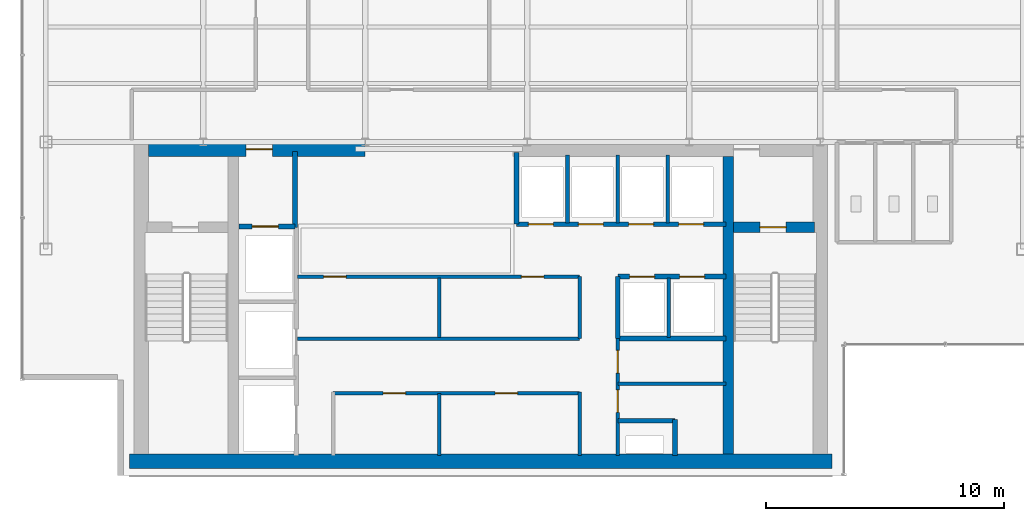
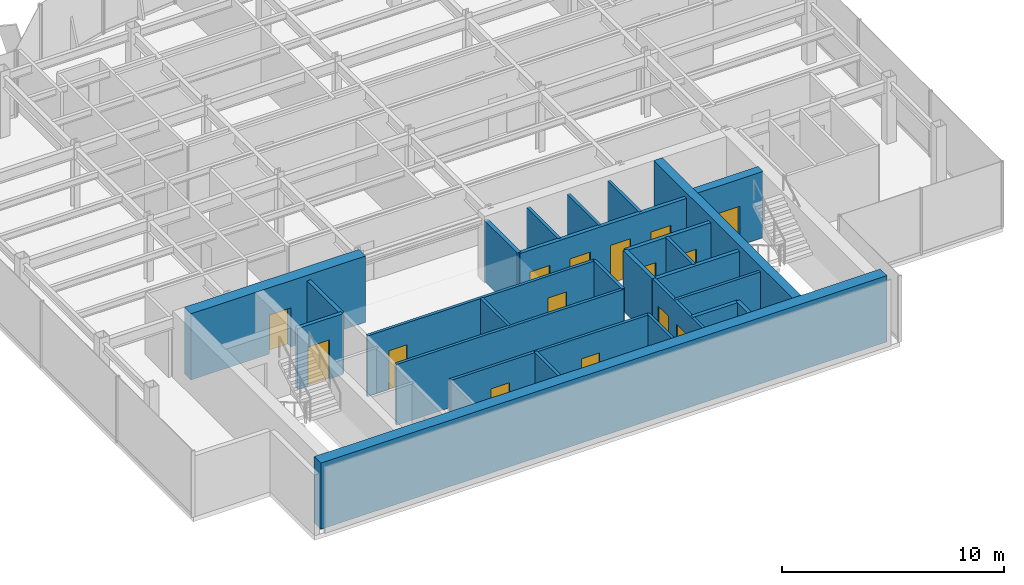
# One storey, part 17 of 22: 26 walls, 15 doors, 15 openings.
"""IFC4 building model written with IfcOpenShell, lengths in metres."""

from ifc_helpers import new_model, si_unit, derived_unit, direction, frame, frame_2d, origin, place, context, subcontext, project, spatial, rectangle, extrude, source, transform, mapped, material, layer, layer_set, type_object, element, fill, save


model = new_model("IFC4")

# Units and contexts
model_context = context("Model", 3, precision=1e-05, world=origin(), true_north=direction((0.0, 1.0)))
body_context = subcontext(model_context, "Body", "Model", "MODEL_VIEW")
ifc_project = project(units=[si_unit("LENGTHUNIT", "METRE"), si_unit("AREAUNIT", "SQUARE_METRE"), si_unit("VOLUMEUNIT", "CUBIC_METRE"), si_unit("PLANEANGLEUNIT", "RADIAN"), si_unit("MASSUNIT", "GRAM", prefix="KILO"), derived_unit("THERMALTRANSMITTANCEUNIT", [(si_unit("POWERUNIT", "WATT"), 1), (si_unit("LENGTHUNIT", "METRE"), -2), (si_unit("THERMODYNAMICTEMPERATUREUNIT", "KELVIN"), -1)])], contexts=[model_context])

# Site, building, storey
site_placement = place(None, origin())
site = spatial("IfcSite", under=ifc_project, at=site_placement, CompositionType="ELEMENT")
building_placement = place(site_placement, origin())
building = spatial("IfcBuilding", under=site, at=building_placement, Name="Skarnbrae Concourse Arena and Tower", CompositionType="ELEMENT")
storey_placement = place(building_placement, frame((0.0, 0.0, 232.39990234375)))
storey = spatial("IfcBuildingStorey", under=building, at=storey_placement, Name="L60", CompositionType="ELEMENT", Elevation=232.39990234375)

# Wall, opening, door
ifc_material_1 = material(Name="Concrete 50 MPa (C50/60)", Category="concrete")
ifc_layer_1 = layer(ifc_material_1, 0.449951171875)
ifc_layer_set_1 = layer_set([ifc_layer_1], Name="Concrete 50 MPa (C50/60)")
wall_type_1 = type_object("IfcWallType", Name="WALL-CORE-450-C50", PredefinedType="SHEAR", material=ifc_layer_set_1)
shared_shape_1 = source(origin(), body_context, "Body", "SweptSolid", [
    extrude(rectangle(XDim=3.389892578125, YDim=0.449951171875, at=frame_2d((1.69482421875, 0.0))), origin(), (0.0, 0.0, 1.0), 3.650146484375),
])
wall_1_placement = place(storey_placement, frame((29.860107421875, 10.419921875, 0.0), z_axis=(0.0, 0.0, 1.0), x_axis=(1.0, 0.0, 0.0)))
wall_1 = element("IfcWall", 1, at=wall_1_placement, inside=storey, type_object=wall_type_1, Name="L60 Rear core shear wall CW-ST2-N", PredefinedType="SHEAR", context=body_context, shape_type="MappedRepresentation", body=[
    mapped(shared_shape_1, transform((0.0, 0.0, 0.0))),
])
opening_1_placement = place(wall_1_placement, frame((1.10009765625, 0.0, 0.0)))
opening_1 = element("IfcOpeningElement", 2, at=opening_1_placement, cuts=wall_1, Name="Opening DT-03", PredefinedType="OPENING", context=body_context, shape_type="SweptSolid", body=[
    extrude(rectangle(XDim=1.10009765625, YDim=2.14990234375, at=frame_2d((0.550048828125, 1.074951171875))), frame((0.0, 0.23486328125, 0.0), z_axis=(0.0, -1.0, 0.0), x_axis=(1.0, 0.0, 0.0)), (0.0, 0.0, 1.0), 0.469970703125),
])
ifc_material_2 = material(Name="Steel CSA G40.21 350W", Category="steel")
door_type_1 = type_object("IfcDoorType", Name="DOOR-FIRE-1100-90M", OperationType="NOTDEFINED", PredefinedType="DOOR", material=ifc_material_2)
shared_shape_2 = source(origin(), body_context, "Body", "SweptSolid", [
    extrude(rectangle(XDim=1.10009765625, YDim=2.14990234375, at=frame_2d((0.550048828125, 1.074951171875))), frame((0.0, 0.02490234375, 0.0), z_axis=(0.0, -1.0, 0.0), x_axis=(1.0, 0.0, 0.0)), (0.0, 0.0, 1.0), 0.050048828125),
])
door_1_placement = place(opening_1_placement, frame((1.10009765625, 0.0, 0.0), z_axis=(0.0, 0.0, 1.0), x_axis=(-1.0, 0.0, 0.0)))
door_1 = element("IfcDoor", 3, at=door_1_placement, inside=storey, type_object=door_type_1, Name="D-1819 Stair ST-2 Door", OperationType="SINGLE_SWING_RIGHT", OverallHeight=2.14990234375, OverallWidth=1.10009765625, PredefinedType="DOOR", context=body_context, shape_type="MappedRepresentation", body=[
    mapped(shared_shape_2, transform((0.0, 0.0, 0.0))),
])
fill(opening_1, door_1)

# Wall
ifc_layer_2 = layer(ifc_material_1, 0.60009765625)
ifc_layer_set_2 = layer_set([ifc_layer_2], Name="Concrete 50 MPa (C50/60)")
wall_type_2 = type_object("IfcWallType", Name="WALL-CORE-600-C50", PredefinedType="SHEAR", material=ifc_layer_set_2)
shared_shape_3 = source(origin(), body_context, "Body", "SweptSolid", [
    extrude(rectangle(XDim=29.5, YDim=0.60009765625, at=frame_2d((14.75, 0.0))), origin(), (0.0, 0.0, 1.0), 3.650146484375),
])
wall_2_placement = place(storey_placement, frame((4.5, 0.60009765625, 0.0), z_axis=(0.0, 0.0, 1.0), x_axis=(1.0, 0.0, 0.0)))
element("IfcWall", 4, at=wall_2_placement, inside=storey, type_object=wall_type_2, Name="L60 Rear core shear wall CW-S", PredefinedType="SHEAR", context=body_context, shape_type="MappedRepresentation", body=[
    mapped(shared_shape_3, transform((0.0, 0.0, 0.0))),
])

# Wall, opening, door
shared_shape_4 = source(origin(), body_context, "Body", "SweptSolid", [
    extrude(rectangle(XDim=9.099853515625, YDim=0.60009765625, at=frame_2d((4.5498046875, 0.0))), origin(), (0.0, 0.0, 1.0), 3.650146484375),
])
wall_3_placement = place(storey_placement, frame((5.300048828125, 13.699951171875, 0.0), z_axis=(0.0, 0.0, 1.0), x_axis=(1.0, 0.0, 0.0)))
wall_3 = element("IfcWall", 5, at=wall_3_placement, inside=storey, type_object=wall_type_2, Name="L60 Rear core shear wall CW-NW", PredefinedType="SHEAR", context=body_context, shape_type="MappedRepresentation", body=[
    mapped(shared_shape_4, transform((0.0, 0.0, 0.0))),
])
opening_2_placement = place(wall_3_placement, frame((4.10009765625, 0.0, 0.0)))
opening_2 = element("IfcOpeningElement", 6, at=opening_2_placement, cuts=wall_3, Name="Opening DT-03", PredefinedType="OPENING", context=body_context, shape_type="SweptSolid", body=[
    extrude(rectangle(XDim=1.10009765625, YDim=2.14990234375, at=frame_2d((0.550048828125, 1.074951171875))), frame((0.0, 0.31005859375, 0.0), z_axis=(0.0, -1.0, 0.0), x_axis=(1.0, 0.0, 0.0)), (0.0, 0.0, 1.0), 0.6201171875),
])
door_2_placement = place(opening_2_placement, origin())
door_2 = element("IfcDoor", 7, at=door_2_placement, inside=storey, type_object=door_type_1, Name="D-1820 Firefighting Lobby Exit Door", OperationType="SINGLE_SWING_RIGHT", OverallHeight=2.14990234375, OverallWidth=1.10009765625, PredefinedType="DOOR", context=body_context, shape_type="MappedRepresentation", body=[
    mapped(shared_shape_2, transform((0.0, 0.0, 0.0))),
])
fill(opening_2, door_2)

# Walls
shared_shape_5 = source(origin(), body_context, "Body", "SweptSolid", [
    extrude(rectangle(XDim=12.5, YDim=0.449951171875, at=frame_2d((6.25, 0.0))), origin(), (0.0, 0.0, 1.0), 3.650146484375),
])
wall_4_placement = place(storey_placement, frame((29.635009765625, 0.89990234375, 0.0), z_axis=(0.0, 0.0, 1.0), x_axis=(0.0, 1.0, 0.0)))
element("IfcWall", 8, at=wall_4_placement, inside=storey, type_object=wall_type_1, Name="L60 Rear core shear wall CW-WEB-E", PredefinedType="SHEAR", context=body_context, shape_type="MappedRepresentation", body=[
    mapped(shared_shape_5, transform((0.0, 0.0, 0.0))),
])
ifc_material_3 = material(Name="Gypsum board on cold-formed steel studs", Category="steel")
ifc_layer_3 = layer(ifc_material_3, 0.199951171875)
ifc_layer_set_3 = layer_set([ifc_layer_3], Name="Gypsum board on cold-formed steel studs")
wall_type_3 = type_object("IfcWallType", Name="WALL-PART-200-2HR", PredefinedType="PARTITIONING", material=ifc_layer_set_3)
shared_shape_6 = source(origin(), body_context, "Body", "SweptSolid", [
    extrude(rectangle(XDim=3.18017578125, YDim=0.199951171875, at=frame_2d((1.590087890625, 0.0))), origin(), (0.0, 0.0, 1.0), 3.35009765625),
])
wall_5_placement = place(storey_placement, frame((11.449951171875, 10.419921875, 0.0), z_axis=(0.0, 0.0, 1.0), x_axis=(0.0, 1.0, 0.0)))
element("IfcWall", 9, at=wall_5_placement, inside=storey, type_object=wall_type_3, Name="L60 Interior partition wall W-L60-FFL-E", PredefinedType="PARTITIONING", context=body_context, shape_type="MappedRepresentation", body=[
    mapped(shared_shape_6, transform((0.0, 0.0, 0.0))),
])

# Wall, opening, door
shared_shape_7 = source(origin(), body_context, "Body", "SweptSolid", [
    extrude(rectangle(XDim=2.349853515625, YDim=0.199951171875, at=frame_2d((1.1748046875, 0.0))), origin(), (0.0, 0.0, 1.0), 3.35009765625),
])
wall_6_placement = place(storey_placement, frame((9.10009765625, 10.449951171875, 0.0), z_axis=(0.0, 0.0, 1.0), x_axis=(1.0, 0.0, 0.0)))
wall_6 = element("IfcWall", 10, at=wall_6_placement, inside=storey, type_object=wall_type_3, Name="L60 Interior partition wall W-L60-FL1-N", PredefinedType="PARTITIONING", context=body_context, shape_type="MappedRepresentation", body=[
    mapped(shared_shape_7, transform((0.0, 0.0, 0.0))),
])
opening_3_placement = place(wall_6_placement, frame((0.550048828125, 0.0, 0.0)))
opening_3 = element("IfcOpeningElement", 11, at=opening_3_placement, cuts=wall_6, Name="Opening LD-01", PredefinedType="OPENING", context=body_context, shape_type="SweptSolid", body=[
    extrude(rectangle(XDim=1.10009765625, YDim=2.14990234375, at=frame_2d((0.550048828125, 1.074951171875))), frame((0.0, 0.10986328125, 0.0), z_axis=(0.0, -1.0, 0.0), x_axis=(1.0, 0.0, 0.0)), (0.0, 0.0, 1.0), 0.219970703125),
])
door_type_2 = type_object("IfcDoorType", Name="DOOR-LIFT-SLIDE-1100", OperationType="SLIDING_TO_LEFT", PredefinedType="DOOR", material=ifc_material_2)
door_3_placement = place(opening_3_placement, origin())
door_3 = element("IfcDoor", 12, at=door_3_placement, inside=storey, type_object=door_type_2, Name="D-1822 Firefighting Lift Landing Door FL-01", OperationType="SLIDING_TO_LEFT", OverallHeight=2.14990234375, OverallWidth=1.10009765625, PredefinedType="DOOR", context=body_context, shape_type="MappedRepresentation", body=[
    mapped(shared_shape_2, transform((0.0, 0.0, 0.0))),
])
fill(opening_3, door_3)

# Wall
ifc_layer_4 = layer(ifc_material_3, 0.14990234375)
ifc_layer_set_4 = layer_set([ifc_layer_4], Name="Gypsum board on cold-formed steel studs")
wall_type_4 = type_object("IfcWallType", Name="WALL-PART-150-1HR", PredefinedType="PARTITIONING", material=ifc_layer_set_4)
shared_shape_8 = source(origin(), body_context, "Body", "SweptSolid", [
    extrude(rectangle(XDim=2.64990234375, YDim=0.14990234375, at=frame_2d((1.324951171875, 0.0))), origin(), (0.0, 0.0, 1.0), 3.35009765625),
])
wall_7_placement = place(storey_placement, frame((23.39990234375, 0.85009765625, 0.0), z_axis=(0.0, 0.0, 1.0), x_axis=(0.0, 1.0, 0.0)))
element("IfcWall", 13, at=wall_7_placement, inside=storey, type_object=wall_type_4, Name="L60 Interior partition wall W-L60-B1M-E", PredefinedType="PARTITIONING", context=body_context, shape_type="MappedRepresentation", body=[
    mapped(shared_shape_8, transform((0.0, 0.0, 0.0))),
])

# Wall, openings, doors
shared_shape_9 = source(origin(), body_context, "Body", "SweptSolid", [
    extrude(rectangle(XDim=10.349853515625, YDim=0.14990234375, at=frame_2d((5.1748046875, 0.0))), origin(), (0.0, 0.0, 1.0), 3.35009765625),
])
wall_8_placement = place(storey_placement, frame((13.050048828125, 3.449951171875, 0.0), z_axis=(0.0, 0.0, 1.0), x_axis=(1.0, 0.0, 0.0)))
wall_8 = element("IfcWall", 14, at=wall_8_placement, inside=storey, type_object=wall_type_4, Name="L60 Interior partition wall W-L60-B1M-N", PredefinedType="PARTITIONING", context=body_context, shape_type="MappedRepresentation", body=[
    mapped(shared_shape_9, transform((0.0, 0.0, 0.0))),
])
opening_4_placement = place(wall_8_placement, frame((2.10009765625, 0.0, 0.0)))
opening_4 = element("IfcOpeningElement", 15, at=opening_4_placement, cuts=wall_8, Name="Opening DT-04", PredefinedType="OPENING", context=body_context, shape_type="SweptSolid", body=[
    extrude(rectangle(XDim=0.949951171875, YDim=2.14990234375, at=frame_2d((0.47509765625, 1.074951171875))), frame((0.0, 0.0849609375, 0.0), z_axis=(0.0, -1.0, 0.0), x_axis=(1.0, 0.0, 0.0)), (0.0, 0.0, 1.0), 0.169921875),
])
opening_5_placement = place(wall_8_placement, frame((6.800048828125, 0.0, 0.0)))
opening_5 = element("IfcOpeningElement", 16, at=opening_5_placement, cuts=wall_8, Name="Opening DT-04", PredefinedType="OPENING", context=body_context, shape_type="SweptSolid", body=[
    extrude(rectangle(XDim=0.949951171875, YDim=2.14990234375, at=frame_2d((0.47509765625, 1.074951171875))), frame((0.0, 0.0849609375, 0.0), z_axis=(0.0, -1.0, 0.0), x_axis=(1.0, 0.0, 0.0)), (0.0, 0.0, 1.0), 0.169921875),
])
door_type_3 = type_object("IfcDoorType", Name="DOOR-INT-950-45M", OperationType="NOTDEFINED", PredefinedType="DOOR", material=ifc_material_2)
shared_shape_10 = source(origin(), body_context, "Body", "SweptSolid", [
    extrude(rectangle(XDim=0.949951171875, YDim=2.14990234375, at=frame_2d((0.47509765625, 1.074951171875))), frame((0.0, 0.02490234375, 0.0), z_axis=(0.0, -1.0, 0.0), x_axis=(1.0, 0.0, 0.0)), (0.0, 0.0, 1.0), 0.050048828125),
])
door_4_placement = place(opening_4_placement, origin())
door_4 = element("IfcDoor", 17, at=door_4_placement, inside=storey, type_object=door_type_3, Name="D-1825 Core IT Room Door", OperationType="SINGLE_SWING_LEFT", OverallHeight=2.14990234375, OverallWidth=0.949951171875, PredefinedType="DOOR", context=body_context, shape_type="MappedRepresentation", body=[
    mapped(shared_shape_10, transform((0.0, 0.0, 0.0))),
])
fill(opening_4, door_4)
door_5_placement = place(opening_5_placement, origin())
door_5 = element("IfcDoor", 18, at=door_5_placement, inside=storey, type_object=door_type_3, Name="D-1826 Core Records Store Door", OperationType="SINGLE_SWING_RIGHT", OverallHeight=2.14990234375, OverallWidth=0.949951171875, PredefinedType="DOOR", context=body_context, shape_type="MappedRepresentation", body=[
    mapped(shared_shape_10, transform((0.0, 0.0, 0.0))),
])
fill(opening_5, door_5)

# Walls
ifc_layer_5 = layer(ifc_material_3, 0.14990234375)
ifc_layer_set_5 = layer_set([ifc_layer_5], Name="Gypsum board on cold-formed steel studs")
wall_type_5 = type_object("IfcWallType", Name="WALL-PART-150", PredefinedType="PARTITIONING", material=ifc_layer_set_5)
shared_shape_11 = source(origin(), body_context, "Body", "SweptSolid", [
    extrude(rectangle(XDim=2.599853515625, YDim=0.14990234375, at=frame_2d((1.2998046875, 0.0))), origin(), (0.0, 0.0, 1.0), 3.35009765625),
])
wall_9_placement = place(storey_placement, frame((17.5, 0.85009765625, 0.0), z_axis=(0.0, 0.0, 1.0), x_axis=(0.0, 1.0, 0.0)))
element("IfcWall", 19, at=wall_9_placement, inside=storey, type_object=wall_type_5, Name="L60 Interior partition wall W-L60-B1M-C1", PredefinedType="PARTITIONING", context=body_context, shape_type="MappedRepresentation", body=[
    mapped(shared_shape_11, transform((0.0, 0.0, 0.0))),
])
shared_shape_12 = source(origin(), body_context, "Body", "SweptSolid", [
    extrude(rectangle(XDim=2.60009765625, YDim=0.199951171875, at=frame_2d((1.300048828125, 0.0))), origin(), (0.0, 0.0, 1.0), 3.35009765625),
])
wall_10_placement = place(storey_placement, frame((25.0, 5.75, 0.0), z_axis=(0.0, 0.0, 1.0), x_axis=(0.0, 1.0, 0.0)))
element("IfcWall", 20, at=wall_10_placement, inside=storey, type_object=wall_type_3, Name="L60 Interior partition wall W-L60-B3S-W", PredefinedType="PARTITIONING", context=body_context, shape_type="MappedRepresentation", body=[
    mapped(shared_shape_12, transform((0.0, 0.0, 0.0))),
])
shared_shape_13 = source(origin(), body_context, "Body", "SweptSolid", [
    extrude(rectangle(XDim=2.5, YDim=0.14990234375, at=frame_2d((1.25, 0.0))), origin(), (0.0, 0.0, 1.0), 3.35009765625),
])
for number, where, z_axis, x_axis, name in (
    (21, (17.5, 5.800048828125, 0.0), (0.0, 0.0, 1.0), (0.0, 1.0, 0.0), "L60 Interior partition wall W-L60-B2M-MID"),
    (22, (27.139892578125, 5.800048828125, 0.0), (0.0, 0.0, 1.0), (0.0, 1.0, 0.0), "L60 Interior partition wall W-L60-B3S-P1"),
):
    element("IfcWall", number, at=place(storey_placement, frame(where, z_axis=z_axis, x_axis=x_axis)), inside=storey, type_object=wall_type_5, Name=name, PredefinedType="PARTITIONING", context=body_context, shape_type="MappedRepresentation", body=[
        mapped(shared_shape_13, transform((0.0, 0.0, 0.0))),
    ])

# Wall, openings, doors
shared_shape_14 = source(origin(), body_context, "Body", "SweptSolid", [
    extrude(rectangle(XDim=8.800048828125, YDim=0.199951171875, at=frame_2d((4.39990234375, 0.0))), origin(), (0.0, 0.0, 1.0), 3.35009765625),
])
wall_11_placement = place(storey_placement, frame((20.75, 10.550048828125, 0.0), z_axis=(0.0, 0.0, 1.0), x_axis=(1.0, 0.0, 0.0)))
wall_11 = element("IfcWall", 23, at=wall_11_placement, inside=storey, type_object=wall_type_3, Name="L60 Interior partition wall W-L60-B3N-S", PredefinedType="PARTITIONING", context=body_context, shape_type="MappedRepresentation", body=[
    mapped(shared_shape_14, transform((0.0, 0.0, 0.0))),
])
opening_6_placement = place(wall_11_placement, frame((0.5, 0.0, 0.0)))
opening_6 = element("IfcOpeningElement", 24, at=opening_6_placement, cuts=wall_11, Name="Opening LD-04", PredefinedType="OPENING", context=body_context, shape_type="SweptSolid", body=[
    extrude(rectangle(XDim=1.050048828125, YDim=2.14990234375, at=frame_2d((0.52490234375, 1.074951171875))), frame((0.0, 0.10986328125, 0.0), z_axis=(0.0, -1.0, 0.0), x_axis=(1.0, 0.0, 0.0)), (0.0, 0.0, 1.0), 0.219970703125),
])
opening_7_placement = place(wall_11_placement, frame((2.60009765625, 0.0, 0.0)))
opening_7 = element("IfcOpeningElement", 25, at=opening_7_placement, cuts=wall_11, Name="Opening LD-04", PredefinedType="OPENING", context=body_context, shape_type="SweptSolid", body=[
    extrude(rectangle(XDim=1.050048828125, YDim=2.14990234375, at=frame_2d((0.52490234375, 1.074951171875))), frame((0.0, 0.10986328125, 0.0), z_axis=(0.0, -1.0, 0.0), x_axis=(1.0, 0.0, 0.0)), (0.0, 0.0, 1.0), 0.219970703125),
])
opening_8_placement = place(wall_11_placement, frame((4.699951171875, 0.0, 0.0)))
opening_8 = element("IfcOpeningElement", 26, at=opening_8_placement, cuts=wall_11, Name="Opening LD-04", PredefinedType="OPENING", context=body_context, shape_type="SweptSolid", body=[
    extrude(rectangle(XDim=1.050048828125, YDim=2.14990234375, at=frame_2d((0.52490234375, 1.074951171875))), frame((0.0, 0.10986328125, 0.0), z_axis=(0.0, -1.0, 0.0), x_axis=(1.0, 0.0, 0.0)), (0.0, 0.0, 1.0), 0.219970703125),
])
opening_9_placement = place(wall_11_placement, frame((6.800048828125, 0.0, 0.0)))
opening_9 = element("IfcOpeningElement", 27, at=opening_9_placement, cuts=wall_11, Name="Opening LD-04", PredefinedType="OPENING", context=body_context, shape_type="SweptSolid", body=[
    extrude(rectangle(XDim=1.050048828125, YDim=2.14990234375, at=frame_2d((0.52490234375, 1.074951171875))), frame((0.0, 0.10986328125, 0.0), z_axis=(0.0, -1.0, 0.0), x_axis=(1.0, 0.0, 0.0)), (0.0, 0.0, 1.0), 0.219970703125),
])
ifc_material_4 = material(Name="Bronze anodised aluminium 6063-T6", Category="aluminium")
door_type_4 = type_object("IfcDoorType", Name="DOOR-LIFT-SLIDE-1050H", OperationType="SLIDING_TO_LEFT", PredefinedType="DOOR", material=ifc_material_4)
shared_shape_15 = source(origin(), body_context, "Body", "SweptSolid", [
    extrude(rectangle(XDim=1.050048828125, YDim=2.14990234375, at=frame_2d((0.52490234375, 1.074951171875))), frame((0.0, 0.02490234375, 0.0), z_axis=(0.0, -1.0, 0.0), x_axis=(1.0, 0.0, 0.0)), (0.0, 0.0, 1.0), 0.050048828125),
])
door_6_placement = place(opening_6_placement, frame((1.050048828125, 0.0, 0.0), z_axis=(0.0, 0.0, 1.0), x_axis=(-1.0, 0.0, 0.0)))
door_6 = element("IfcDoor", 28, at=door_6_placement, inside=storey, type_object=door_type_4, Name="D-1829 Passenger Lift Landing Door PL-3A", OperationType="SLIDING_TO_LEFT", OverallHeight=2.14990234375, OverallWidth=1.050048828125, PredefinedType="DOOR", context=body_context, shape_type="MappedRepresentation", body=[
    mapped(shared_shape_15, transform((0.0, 0.0, 0.0))),
])
fill(opening_6, door_6)
door_7_placement = place(opening_7_placement, frame((1.050048828125, 0.0, 0.0), z_axis=(0.0, 0.0, 1.0), x_axis=(-1.0, 0.0, 0.0)))
door_7 = element("IfcDoor", 29, at=door_7_placement, inside=storey, type_object=door_type_4, Name="D-1830 Passenger Lift Landing Door PL-3B", OperationType="SLIDING_TO_LEFT", OverallHeight=2.14990234375, OverallWidth=1.050048828125, PredefinedType="DOOR", context=body_context, shape_type="MappedRepresentation", body=[
    mapped(shared_shape_15, transform((0.0, 0.0, 0.0))),
])
fill(opening_7, door_7)
door_8_placement = place(opening_8_placement, frame((1.050048828125, 0.0, 0.0), z_axis=(0.0, 0.0, 1.0), x_axis=(-1.0, 0.0, 0.0)))
door_8 = element("IfcDoor", 30, at=door_8_placement, inside=storey, type_object=door_type_4, Name="D-1831 Passenger Lift Landing Door PL-3C", OperationType="SLIDING_TO_LEFT", OverallHeight=2.14990234375, OverallWidth=1.050048828125, PredefinedType="DOOR", context=body_context, shape_type="MappedRepresentation", body=[
    mapped(shared_shape_15, transform((0.0, 0.0, 0.0))),
])
fill(opening_8, door_8)
door_9_placement = place(opening_9_placement, frame((1.050048828125, 0.0, 0.0), z_axis=(0.0, 0.0, 1.0), x_axis=(-1.0, 0.0, 0.0)))
door_9 = element("IfcDoor", 31, at=door_9_placement, inside=storey, type_object=door_type_4, Name="D-1832 Passenger Lift Landing Door PL-3D", OperationType="SLIDING_TO_LEFT", OverallHeight=2.14990234375, OverallWidth=1.050048828125, PredefinedType="DOOR", context=body_context, shape_type="MappedRepresentation", body=[
    mapped(shared_shape_15, transform((0.0, 0.0, 0.0))),
])
fill(opening_9, door_9)

# Walls
shared_shape_16 = source(origin(), body_context, "Body", "SweptSolid", [
    extrude(rectangle(XDim=3.0, YDim=0.199951171875, at=frame_2d((1.5, 0.0))), origin(), (0.0, 0.0, 1.0), 3.35009765625),
])
wall_12_placement = place(storey_placement, frame((20.75, 10.550048828125, 0.0), z_axis=(0.0, 0.0, 1.0), x_axis=(0.0, 1.0, 0.0)))
element("IfcWall", 32, at=wall_12_placement, inside=storey, type_object=wall_type_3, Name="L60 Interior partition wall W-L60-B3N-W", PredefinedType="PARTITIONING", context=body_context, shape_type="MappedRepresentation", body=[
    mapped(shared_shape_16, transform((0.0, 0.0, 0.0))),
])
shared_shape_17 = source(origin(), body_context, "Body", "SweptSolid", [
    extrude(rectangle(XDim=2.849853515625, YDim=0.14990234375, at=frame_2d((1.4248046875, 0.0))), origin(), (0.0, 0.0, 1.0), 3.35009765625),
])
for number, where, z_axis, x_axis, name in (
    (33, (22.889892578125, 10.60009765625, 0.0), (0.0, 0.0, 1.0), (0.0, 1.0, 0.0), "L60 Interior partition wall W-L60-B3N-P1"),
    (34, (24.989990234375, 10.60009765625, 0.0), (0.0, 0.0, 1.0), (0.0, 1.0, 0.0), "L60 Interior partition wall W-L60-B3N-P2"),
    (35, (27.090087890625, 10.60009765625, 0.0), (0.0, 0.0, 1.0), (0.0, 1.0, 0.0), "L60 Interior partition wall W-L60-B3N-P3"),
):
    element("IfcWall", number, at=place(storey_placement, frame(where, z_axis=z_axis, x_axis=x_axis)), inside=storey, type_object=wall_type_5, Name=name, PredefinedType="PARTITIONING", context=body_context, shape_type="MappedRepresentation", body=[
        mapped(shared_shape_17, transform((0.0, 0.0, 0.0))),
    ])

# Wall, openings, doors
shared_shape_18 = source(origin(), body_context, "Body", "SweptSolid", [
    extrude(rectangle(XDim=4.550048828125, YDim=0.199951171875, at=frame_2d((2.27490234375, 0.0))), origin(), (0.0, 0.0, 1.0), 3.35009765625),
])
wall_13_placement = place(storey_placement, frame((25.0, 8.35009765625, 0.0), z_axis=(0.0, 0.0, 1.0), x_axis=(1.0, 0.0, 0.0)))
wall_13 = element("IfcWall", 36, at=wall_13_placement, inside=storey, type_object=wall_type_3, Name="L60 Interior partition wall W-L60-B3S-N", PredefinedType="PARTITIONING", context=body_context, shape_type="MappedRepresentation", body=[
    mapped(shared_shape_18, transform((0.0, 0.0, 0.0))),
])
opening_10_placement = place(wall_13_placement, frame((0.5, 0.0, 0.0)))
opening_10 = element("IfcOpeningElement", 37, at=opening_10_placement, cuts=wall_13, Name="Opening LD-04", PredefinedType="OPENING", context=body_context, shape_type="SweptSolid", body=[
    extrude(rectangle(XDim=1.050048828125, YDim=2.14990234375, at=frame_2d((0.52490234375, 1.074951171875))), frame((0.0, 0.10986328125, 0.0), z_axis=(0.0, -1.0, 0.0), x_axis=(1.0, 0.0, 0.0)), (0.0, 0.0, 1.0), 0.219970703125),
])
opening_11_placement = place(wall_13_placement, frame((2.60009765625, 0.0, 0.0)))
opening_11 = element("IfcOpeningElement", 38, at=opening_11_placement, cuts=wall_13, Name="Opening LD-04", PredefinedType="OPENING", context=body_context, shape_type="SweptSolid", body=[
    extrude(rectangle(XDim=1.050048828125, YDim=2.14990234375, at=frame_2d((0.52490234375, 1.074951171875))), frame((0.0, 0.10986328125, 0.0), z_axis=(0.0, -1.0, 0.0), x_axis=(1.0, 0.0, 0.0)), (0.0, 0.0, 1.0), 0.219970703125),
])
door_10_placement = place(opening_10_placement, origin())
door_10 = element("IfcDoor", 39, at=door_10_placement, inside=storey, type_object=door_type_4, Name="D-1833 Passenger Lift Landing Door PL-3E", OperationType="SLIDING_TO_LEFT", OverallHeight=2.14990234375, OverallWidth=1.050048828125, PredefinedType="DOOR", context=body_context, shape_type="MappedRepresentation", body=[
    mapped(shared_shape_15, transform((0.0, 0.0, 0.0))),
])
fill(opening_10, door_10)
door_11_placement = place(opening_11_placement, origin())
door_11 = element("IfcDoor", 40, at=door_11_placement, inside=storey, type_object=door_type_4, Name="D-1834 Passenger Lift Landing Door PL-3F", OperationType="SLIDING_TO_LEFT", OverallHeight=2.14990234375, OverallWidth=1.050048828125, PredefinedType="DOOR", context=body_context, shape_type="MappedRepresentation", body=[
    mapped(shared_shape_15, transform((0.0, 0.0, 0.0))),
])
fill(opening_11, door_11)

# Wall
wall_14_placement = place(storey_placement, frame((25.0, 5.75, 0.0), z_axis=(0.0, 0.0, 1.0), x_axis=(1.0, 0.0, 0.0)))
element("IfcWall", 41, at=wall_14_placement, inside=storey, type_object=wall_type_3, Name="L60 Interior partition wall W-L60-B3S-S", PredefinedType="PARTITIONING", context=body_context, shape_type="MappedRepresentation", body=[
    mapped(shared_shape_18, transform((0.0, 0.0, 0.0))),
])

# Wall, openings, doors
shared_shape_19 = source(origin(), body_context, "Body", "SweptSolid", [
    extrude(rectangle(XDim=4.89990234375, YDim=0.14990234375, at=frame_2d((2.449951171875, 0.0))), origin(), (0.0, 0.0, 1.0), 3.35009765625),
])
wall_15_placement = place(storey_placement, frame((25.0, 0.85009765625, 0.0), z_axis=(0.0, 0.0, 1.0), x_axis=(0.0, 1.0, 0.0)))
wall_15 = element("IfcWall", 42, at=wall_15_placement, inside=storey, type_object=wall_type_4, Name="L60 Interior partition wall W-L60-CSV-W", PredefinedType="PARTITIONING", context=body_context, shape_type="MappedRepresentation", body=[
    mapped(shared_shape_19, transform((0.0, 0.0, 0.0))),
])
opening_12_placement = place(wall_15_placement, frame((1.800048828125, 0.0, 0.0)))
opening_12 = element("IfcOpeningElement", 43, at=opening_12_placement, cuts=wall_15, Name="Opening DT-04", PredefinedType="OPENING", context=body_context, shape_type="SweptSolid", body=[
    extrude(rectangle(XDim=0.949951171875, YDim=2.14990234375, at=frame_2d((0.47509765625, 1.074951171875))), frame((0.0, 0.0849609375, 0.0), z_axis=(0.0, -1.0, 0.0), x_axis=(1.0, 0.0, 0.0)), (0.0, 0.0, 1.0), 0.169921875),
])
opening_13_placement = place(wall_15_placement, frame((3.449951171875, 0.0, 0.0)))
opening_13 = element("IfcOpeningElement", 44, at=opening_13_placement, cuts=wall_15, Name="Opening DT-04", PredefinedType="OPENING", context=body_context, shape_type="SweptSolid", body=[
    extrude(rectangle(XDim=0.949951171875, YDim=2.14990234375, at=frame_2d((0.47509765625, 1.074951171875))), frame((0.0, 0.0849609375, 0.0), z_axis=(0.0, -1.0, 0.0), x_axis=(1.0, 0.0, 0.0)), (0.0, 0.0, 1.0), 0.169921875),
])
door_12_placement = place(opening_12_placement, origin())
door_12 = element("IfcDoor", 45, at=door_12_placement, inside=storey, type_object=door_type_3, Name="D-1835 Electrical Switch Room Door", OperationType="SINGLE_SWING_LEFT", OverallHeight=2.14990234375, OverallWidth=0.949951171875, PredefinedType="DOOR", context=body_context, shape_type="MappedRepresentation", body=[
    mapped(shared_shape_10, transform((0.0, 0.0, 0.0))),
])
fill(opening_12, door_12)
door_13_placement = place(opening_13_placement, origin())
door_13 = element("IfcDoor", 46, at=door_13_placement, inside=storey, type_object=door_type_3, Name="D-1836 Cleaner Store Door", OperationType="SINGLE_SWING_RIGHT", OverallHeight=2.14990234375, OverallWidth=0.949951171875, PredefinedType="DOOR", context=body_context, shape_type="MappedRepresentation", body=[
    mapped(shared_shape_10, transform((0.0, 0.0, 0.0))),
])
fill(opening_13, door_13)

# Walls
shared_shape_20 = source(origin(), body_context, "Body", "SweptSolid", [
    extrude(rectangle(XDim=2.39990234375, YDim=0.199951171875, at=frame_2d((1.199951171875, 0.0))), origin(), (0.0, 0.0, 1.0), 3.35009765625),
])
wall_16_placement = place(storey_placement, frame((25.0, 2.300048828125, 0.0), z_axis=(0.0, 0.0, 1.0), x_axis=(1.0, 0.0, 0.0)))
element("IfcWall", 47, at=wall_16_placement, inside=storey, type_object=wall_type_3, Name="L60 Interior partition wall W-L60-MEP-N", PredefinedType="PARTITIONING", context=body_context, shape_type="MappedRepresentation", body=[
    mapped(shared_shape_20, transform((0.0, 0.0, 0.0))),
])
shared_shape_21 = source(origin(), body_context, "Body", "SweptSolid", [
    extrude(rectangle(XDim=1.5, YDim=0.199951171875, at=frame_2d((0.75, 0.0))), origin(), (0.0, 0.0, 1.0), 3.35009765625),
])
wall_17_placement = place(storey_placement, frame((27.39990234375, 0.85009765625, 0.0), z_axis=(0.0, 0.0, 1.0), x_axis=(0.0, 1.0, 0.0)))
element("IfcWall", 48, at=wall_17_placement, inside=storey, type_object=wall_type_3, Name="L60 Interior partition wall W-L60-MEP-E", PredefinedType="PARTITIONING", context=body_context, shape_type="MappedRepresentation", body=[
    mapped(shared_shape_21, transform((0.0, 0.0, 0.0))),
])
shared_shape_22 = source(origin(), body_context, "Body", "SweptSolid", [
    extrude(rectangle(XDim=4.550048828125, YDim=0.14990234375, at=frame_2d((2.27490234375, 0.0))), origin(), (0.0, 0.0, 1.0), 3.35009765625),
])
wall_18_placement = place(storey_placement, frame((25.0, 3.85009765625, 0.0), z_axis=(0.0, 0.0, 1.0), x_axis=(1.0, 0.0, 0.0)))
element("IfcWall", 49, at=wall_18_placement, inside=storey, type_object=wall_type_5, Name="L60 Interior partition wall W-L60-CSV-H", PredefinedType="PARTITIONING", context=body_context, shape_type="MappedRepresentation", body=[
    mapped(shared_shape_22, transform((0.0, 0.0, 0.0))),
])
shared_shape_23 = source(origin(), body_context, "Body", "SweptSolid", [
    extrude(rectangle(XDim=11.849853515625, YDim=0.14990234375, at=frame_2d((5.9248046875, 0.0))), origin(), (0.0, 0.0, 1.0), 3.35009765625),
])
wall_19_placement = place(storey_placement, frame((11.550048828125, 5.75, 0.0), z_axis=(0.0, 0.0, 1.0), x_axis=(1.0, 0.0, 0.0)))
element("IfcWall", 50, at=wall_19_placement, inside=storey, type_object=wall_type_4, Name="L60 Interior partition wall W-L60-B2M-S", PredefinedType="PARTITIONING", context=body_context, shape_type="MappedRepresentation", body=[
    mapped(shared_shape_23, transform((0.0, 0.0, 0.0))),
])

# Wall, openings, doors
wall_20_placement = place(storey_placement, frame((11.550048828125, 8.35009765625, 0.0), z_axis=(0.0, 0.0, 1.0), x_axis=(1.0, 0.0, 0.0)))
wall_20 = element("IfcWall", 51, at=wall_20_placement, inside=storey, type_object=wall_type_4, Name="L60 Interior partition wall W-L60-B2M-N", PredefinedType="PARTITIONING", context=body_context, shape_type="MappedRepresentation", body=[
    mapped(shared_shape_23, transform((0.0, 0.0, 0.0))),
])
opening_14_placement = place(wall_20_placement, frame((1.10009765625, 0.0, 0.0)))
opening_14 = element("IfcOpeningElement", 52, at=opening_14_placement, cuts=wall_20, Name="Opening DT-04", PredefinedType="OPENING", context=body_context, shape_type="SweptSolid", body=[
    extrude(rectangle(XDim=0.949951171875, YDim=2.14990234375, at=frame_2d((0.47509765625, 1.074951171875))), frame((0.0, 0.0849609375, 0.0), z_axis=(0.0, -1.0, 0.0), x_axis=(1.0, 0.0, 0.0)), (0.0, 0.0, 1.0), 0.169921875),
])
opening_15_placement = place(wall_20_placement, frame((9.39990234375, 0.0, 0.0)))
opening_15 = element("IfcOpeningElement", 53, at=opening_15_placement, cuts=wall_20, Name="Opening DT-04", PredefinedType="OPENING", context=body_context, shape_type="SweptSolid", body=[
    extrude(rectangle(XDim=0.949951171875, YDim=2.14990234375, at=frame_2d((0.47509765625, 1.074951171875))), frame((0.0, 0.0849609375, 0.0), z_axis=(0.0, -1.0, 0.0), x_axis=(1.0, 0.0, 0.0)), (0.0, 0.0, 1.0), 0.169921875),
])
door_14_placement = place(opening_14_placement, origin())
door_14 = element("IfcDoor", 54, at=door_14_placement, inside=storey, type_object=door_type_3, Name="D-1827 High-Zone Data Door", OperationType="SINGLE_SWING_RIGHT", OverallHeight=2.14990234375, OverallWidth=0.949951171875, PredefinedType="DOOR", context=body_context, shape_type="MappedRepresentation", body=[
    mapped(shared_shape_10, transform((0.0, 0.0, 0.0))),
])
fill(opening_14, door_14)
door_15_placement = place(opening_15_placement, origin())
door_15 = element("IfcDoor", 55, at=door_15_placement, inside=storey, type_object=door_type_3, Name="D-1828 Reprographics Door", OperationType="SINGLE_SWING_LEFT", OverallHeight=2.14990234375, OverallWidth=0.949951171875, PredefinedType="DOOR", context=body_context, shape_type="MappedRepresentation", body=[
    mapped(shared_shape_10, transform((0.0, 0.0, 0.0))),
])
fill(opening_15, door_15)

# Wall
shared_shape_24 = source(origin(), body_context, "Body", "SweptSolid", [
    extrude(rectangle(XDim=2.60009765625, YDim=0.14990234375, at=frame_2d((1.300048828125, 0.0))), origin(), (0.0, 0.0, 1.0), 3.35009765625),
])
wall_21_placement = place(storey_placement, frame((23.39990234375, 5.75, 0.0), z_axis=(0.0, 0.0, 1.0), x_axis=(0.0, 1.0, 0.0)))
element("IfcWall", 56, at=wall_21_placement, inside=storey, type_object=wall_type_4, Name="L60 Interior partition wall W-L60-B2M-E", PredefinedType="PARTITIONING", context=body_context, shape_type="MappedRepresentation", body=[
    mapped(shared_shape_24, transform((0.0, 0.0, 0.0))),
])

save(model, "model.ifc")
